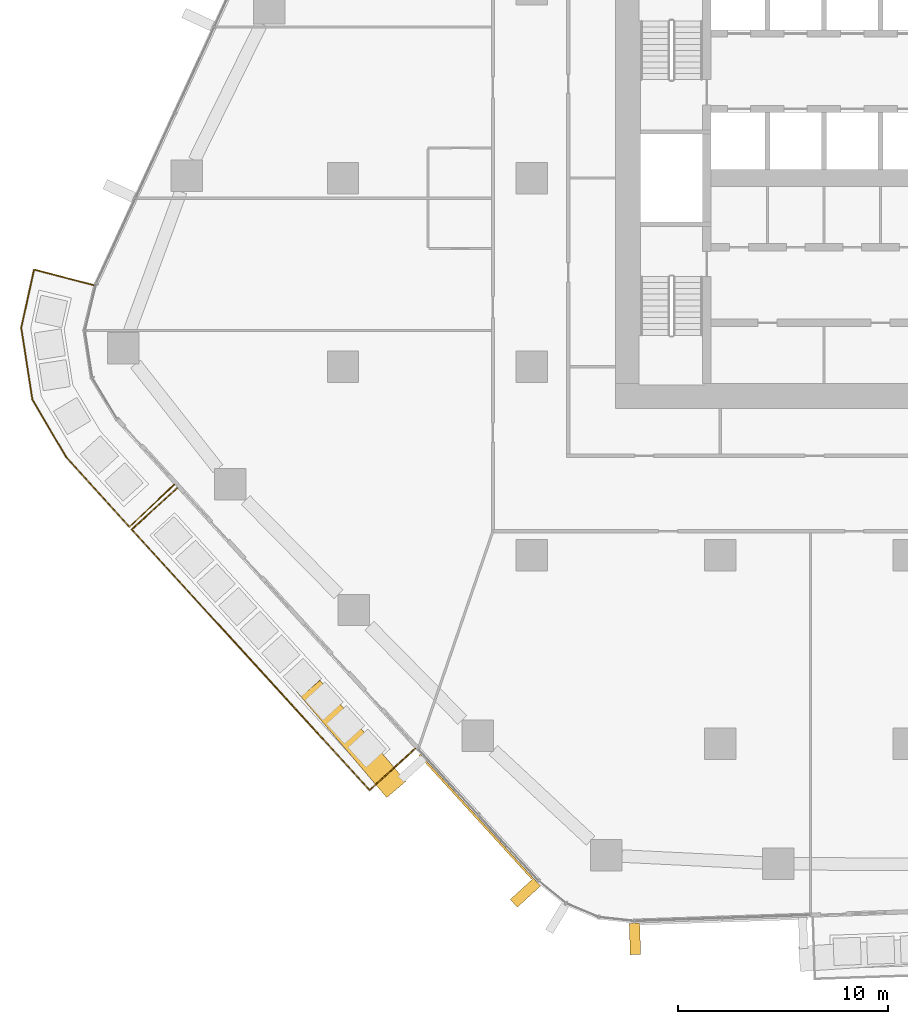
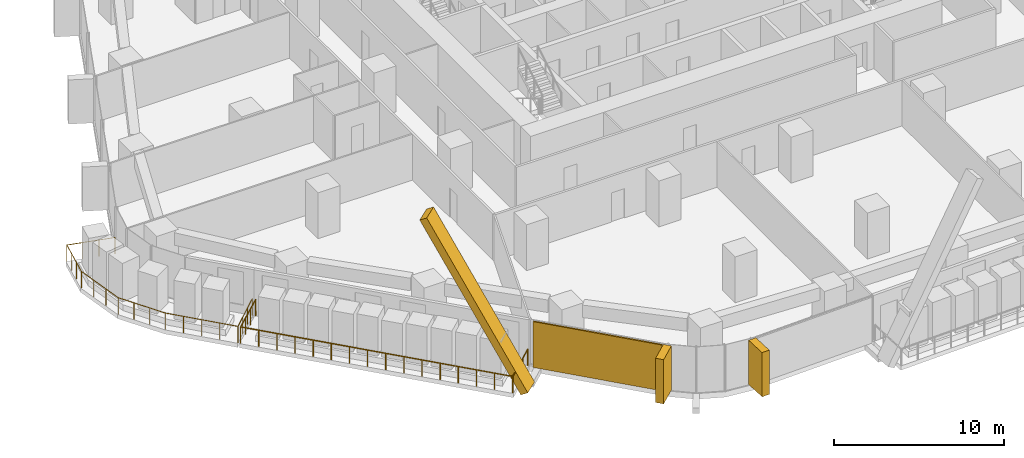
# One storey, part 19 of 26: 4 coverings, 2 railings, 2 elements without a shape of their own.
"""IFC4 building model written with IfcOpenShell, lengths in metres."""

from ifc_helpers import new_model, si_unit, direction, frame, origin, origin_2d, place, context, subcontext, project, spatial, rectangle, circle, extrude, material, layer, layer_set, material_profile, profile_set, type_object, element, aggregate, save


model = new_model("IFC4")

# Units and contexts
model_context = context("Model", 3, precision=1e-05, world=origin(), true_north=direction((0.0, 1.0)))
body_context = subcontext(model_context, "Body", "Model", "MODEL_VIEW")
ifc_project = project(units=[si_unit("LENGTHUNIT", "METRE"), si_unit("AREAUNIT", "SQUARE_METRE"), si_unit("VOLUMEUNIT", "CUBIC_METRE"), si_unit("PLANEANGLEUNIT", "RADIAN"), si_unit("MASSUNIT", "GRAM", prefix="KILO")], contexts=[model_context])

# Site, building, storey
site_placement = place(None, origin())
site = spatial("IfcSite", under=ifc_project, at=site_placement, CompositionType="ELEMENT")
building_placement = place(site_placement, origin())
building = spatial("IfcBuilding", under=site, at=building_placement, Name="Dongbaek Canopy Tower", CompositionType="ELEMENT")
storey_placement = place(building_placement, frame((0.0, 0.0, 73.60009765625)))
storey = spatial("IfcBuildingStorey", under=building, at=storey_placement, Name="L14", CompositionType="ELEMENT", Elevation=73.60009765625)

# Railings
ifc_material_1 = material(Name="Stainless steel", Category="steel")
railing_type = type_object("IfcRailingType", Name="Balcony balustrade 1200", PredefinedType="BALUSTRADE", material=ifc_material_1)
railing_1_placement = place(storey_placement, frame((-34.905517578125, -14.78515625, 0.0)))
element("IfcRailing", 1, at=railing_1_placement, inside=storey, type_object=railing_type, Name="Balcony guard L14 3", PredefinedType="BALUSTRADE", context=body_context, shape_type="SweptSolid", body=[
    extrude(circle(Radius=0.02392578125, at=origin_2d()), frame((0.0, 0.0, 1.17578125), z_axis=(-0.738751516829, -0.673977890129, 0.0), x_axis=(0.673977890129, -0.738751516829, 0.0)), (0.0, 0.0, 1.0), 2.93994140625),
    extrude(circle(Radius=0.02392578125, at=origin_2d()), frame((-2.171875, -1.9814453125, 1.17578125), z_axis=(0.674009340344, -0.738722822938, 0.0), x_axis=(0.738722822938, 0.674009340344, 0.0)), (0.0, 0.0, 1.0), 16.83349609375),
    extrude(circle(Radius=0.02392578125, at=origin_2d()), frame((9.174072265625, -14.416748046875, 1.17578125), z_axis=(0.738751516829, 0.673977890129, 0.0), x_axis=(-0.673977890129, 0.738751516829, 0.0)), (0.0, 0.0, 1.0), 2.93994140625),
    extrude(circle(Radius=0.02099609375, at=origin_2d()), origin(), (0.0, 0.0, 1.0), 1.15185546875),
    extrude(circle(Radius=0.02099609375, at=origin_2d()), frame((-0.723876953125, -0.660400390625, 0.0)), (0.0, 0.0, 1.0), 1.15185546875),
    extrude(circle(Radius=0.02099609375, at=origin_2d()), frame((-1.447998046875, -1.321044921875, 0.0)), (0.0, 0.0, 1.0), 1.15185546875),
    extrude(circle(Radius=0.02099609375, at=origin_2d()), frame((-2.171875, -1.9814453125, 0.0)), (0.0, 0.0, 1.0), 1.15185546875),
    extrude(circle(Radius=0.02099609375, at=origin_2d()), frame((-1.41552734375, -2.810546875, 0.0)), (0.0, 0.0, 1.0), 1.15185546875),
    extrude(circle(Radius=0.02099609375, at=origin_2d()), frame((-0.6591796875, -3.639404296875, 0.0)), (0.0, 0.0, 1.0), 1.15185546875),
    extrude(circle(Radius=0.02099609375, at=origin_2d()), frame((0.097412109375, -4.468505859375, 0.0)), (0.0, 0.0, 1.0), 1.15185546875),
    extrude(circle(Radius=0.02099609375, at=origin_2d()), frame((0.853759765625, -5.297607421875, 0.0)), (0.0, 0.0, 1.0), 1.15185546875),
    extrude(circle(Radius=0.02099609375, at=origin_2d()), frame((1.610107421875, -6.12646484375, 0.0)), (0.0, 0.0, 1.0), 1.15185546875),
    extrude(circle(Radius=0.02099609375, at=origin_2d()), frame((2.366455078125, -6.95556640625, 0.0)), (0.0, 0.0, 1.0), 1.15185546875),
    extrude(circle(Radius=0.02099609375, at=origin_2d()), frame((3.122802734375, -7.78466796875, 0.0)), (0.0, 0.0, 1.0), 1.15185546875),
    extrude(circle(Radius=0.02099609375, at=origin_2d()), frame((3.87939453125, -8.613525390625, 0.0)), (0.0, 0.0, 1.0), 1.15185546875),
    extrude(circle(Radius=0.02099609375, at=origin_2d()), frame((4.6357421875, -9.442626953125, 0.0)), (0.0, 0.0, 1.0), 1.15185546875),
    extrude(circle(Radius=0.02099609375, at=origin_2d()), frame((5.39208984375, -10.271728515625, 0.0)), (0.0, 0.0, 1.0), 1.15185546875),
    extrude(circle(Radius=0.02099609375, at=origin_2d()), frame((6.1484375, -11.1005859375, 0.0)), (0.0, 0.0, 1.0), 1.15185546875),
    extrude(circle(Radius=0.02099609375, at=origin_2d()), frame((6.90478515625, -11.9296875, 0.0)), (0.0, 0.0, 1.0), 1.15185546875),
    extrude(circle(Radius=0.02099609375, at=origin_2d()), frame((7.661376953125, -12.7587890625, 0.0)), (0.0, 0.0, 1.0), 1.15185546875),
    extrude(circle(Radius=0.02099609375, at=origin_2d()), frame((8.417724609375, -13.587646484375, 0.0)), (0.0, 0.0, 1.0), 1.15185546875),
    extrude(circle(Radius=0.02099609375, at=origin_2d()), frame((9.174072265625, -14.416748046875, 0.0)), (0.0, 0.0, 1.0), 1.15185546875),
    extrude(circle(Radius=0.02099609375, at=origin_2d()), frame((9.89794921875, -13.75634765625, 0.0)), (0.0, 0.0, 1.0), 1.15185546875),
    extrude(circle(Radius=0.02099609375, at=origin_2d()), frame((10.6220703125, -13.095703125, 0.0)), (0.0, 0.0, 1.0), 1.15185546875),
    extrude(circle(Radius=0.02099609375, at=origin_2d()), frame((11.345947265625, -12.435302734375, 0.0)), (0.0, 0.0, 1.0), 1.15185546875),
])
railing_2_placement = place(storey_placement, frame((-38.897216796875, -5.109130859375, 0.0)))
element("IfcRailing", 2, at=railing_2_placement, inside=storey, type_object=railing_type, Name="Balcony guard L14 7", PredefinedType="BALUSTRADE", context=body_context, shape_type="SweptSolid", body=[
    extrude(circle(Radius=0.02392578125, at=origin_2d()), frame((0.0, 0.0, 1.17578125), z_axis=(-0.967279624391, 0.253712688365, 0.0), x_axis=(-0.253712688365, -0.967279624391, 0.0)), (0.0, 0.0, 1.0), 2.940673828125),
    extrude(circle(Radius=0.02392578125, at=origin_2d()), frame((-2.844482421875, 0.74609375, 1.17578125), z_axis=(-0.214860147072, -0.976644826536, 0.0), x_axis=(0.976644826536, -0.214860147072, 0.0)), (0.0, 0.0, 1.0), 2.847412109375),
    extrude(circle(Radius=0.02392578125, at=origin_2d()), frame((-3.456298828125, -2.034912109375, 1.17578125), z_axis=(0.15356492792, -0.988138559572, 0.0), x_axis=(0.988138559572, 0.15356492792, 0.0)), (0.0, 0.0, 1.0), 3.46728515625),
    extrude(circle(Radius=0.02392578125, at=origin_2d()), frame((-2.923828125, -5.461181640625, 1.17578125), z_axis=(0.506738590349, -0.862099762818, 0.0), x_axis=(0.862099762818, 0.506738590349, 0.0)), (0.0, 0.0, 1.0), 3.18359375),
    extrude(circle(Radius=0.02392578125, at=origin_2d()), frame((-1.310546875, -8.205810546875, 1.17578125), z_axis=(0.671700008883, -0.74082325697, 0.0), x_axis=(0.74082325697, 0.671700008883, 0.0)), (0.0, 0.0, 1.0), 4.499755859375),
    extrude(circle(Radius=0.02392578125, at=origin_2d()), frame((1.7119140625, -11.539306640625, 1.17578125), z_axis=(0.724812845039, 0.688945817656, 0.0), x_axis=(-0.688945817656, 0.724812845039, 0.0)), (0.0, 0.0, 1.0), 2.9404296875),
    extrude(circle(Radius=0.02099609375, at=origin_2d()), origin(), (0.0, 0.0, 1.0), 1.15185546875),
    extrude(circle(Radius=0.02099609375, at=origin_2d()), frame((-0.9482421875, 0.248779296875, 0.0)), (0.0, 0.0, 1.0), 1.15185546875),
    extrude(circle(Radius=0.02099609375, at=origin_2d()), frame((-1.896240234375, 0.497314453125, 0.0)), (0.0, 0.0, 1.0), 1.15185546875),
    extrude(circle(Radius=0.02099609375, at=origin_2d()), frame((-2.844482421875, 0.74609375, 0.0)), (0.0, 0.0, 1.0), 1.15185546875),
    extrude(circle(Radius=0.02099609375, at=origin_2d()), frame((-3.04833984375, -0.180908203125, 0.0)), (0.0, 0.0, 1.0), 1.15185546875),
    extrude(circle(Radius=0.02099609375, at=origin_2d()), frame((-3.25244140625, -1.10791015625, 0.0)), (0.0, 0.0, 1.0), 1.15185546875),
    extrude(circle(Radius=0.02099609375, at=origin_2d()), frame((-3.456298828125, -2.034912109375, 0.0)), (0.0, 0.0, 1.0), 1.15185546875),
    extrude(circle(Radius=0.02099609375, at=origin_2d()), frame((-3.27880859375, -3.177001953125, 0.0)), (0.0, 0.0, 1.0), 1.15185546875),
    extrude(circle(Radius=0.02099609375, at=origin_2d()), frame((-3.101318359375, -4.319091796875, 0.0)), (0.0, 0.0, 1.0), 1.15185546875),
    extrude(circle(Radius=0.02099609375, at=origin_2d()), frame((-2.923828125, -5.461181640625, 0.0)), (0.0, 0.0, 1.0), 1.15185546875),
    extrude(circle(Radius=0.02099609375, at=origin_2d()), frame((-2.385986328125, -6.3759765625, 0.0)), (0.0, 0.0, 1.0), 1.15185546875),
    extrude(circle(Radius=0.02099609375, at=origin_2d()), frame((-1.848388671875, -7.291015625, 0.0)), (0.0, 0.0, 1.0), 1.15185546875),
    extrude(circle(Radius=0.02099609375, at=origin_2d()), frame((-1.310546875, -8.205810546875, 0.0)), (0.0, 0.0, 1.0), 1.15185546875),
    extrude(circle(Radius=0.02099609375, at=origin_2d()), frame((-0.554931640625, -9.0390625, 0.0)), (0.0, 0.0, 1.0), 1.15185546875),
    extrude(circle(Radius=0.02099609375, at=origin_2d()), frame((0.20068359375, -9.87255859375, 0.0)), (0.0, 0.0, 1.0), 1.15185546875),
    extrude(circle(Radius=0.02099609375, at=origin_2d()), frame((0.956298828125, -10.7060546875, 0.0)), (0.0, 0.0, 1.0), 1.15185546875),
    extrude(circle(Radius=0.02099609375, at=origin_2d()), frame((1.7119140625, -11.539306640625, 0.0)), (0.0, 0.0, 1.0), 1.15185546875),
    extrude(circle(Radius=0.02099609375, at=origin_2d()), frame((2.42236328125, -10.864013671875, 0.0)), (0.0, 0.0, 1.0), 1.15185546875),
    extrude(circle(Radius=0.02099609375, at=origin_2d()), frame((3.1328125, -10.188720703125, 0.0)), (0.0, 0.0, 1.0), 1.15185546875),
    extrude(circle(Radius=0.02099609375, at=origin_2d()), frame((3.84326171875, -9.513427734375, 0.0)), (0.0, 0.0, 1.0), 1.15185546875),
])

# Curtain wall, coverings
ifc_material_2 = material(Name="Aluminium 6063-T6 pale anodised", Category="aluminium")
ifc_layer_1 = layer(ifc_material_2, 0.199951171875)
ifc_layer_set_1 = layer_set([ifc_layer_1], Name="CW-1 unitised tower curtain wall")
curtain_wall_type = type_object("IfcCurtainWallType", Name="CW-1 unitised tower curtain wall", PredefinedType="NOTDEFINED", material=ifc_layer_set_1)
curtain_wall_1_placement = place(storey_placement, origin())
curtain_wall_1 = element("IfcCurtainWall", 3, at=curtain_wall_1_placement, inside=storey, type_object=curtain_wall_type, Name="CW-1 curtain wall F3.1", PredefinedType="NOTDEFINED")
ifc_material_3 = material(Name="Aluminium 6063-T6 pale metal fin", Category="aluminium")
ifc_material_profile_1 = material_profile(ifc_material_3, rectangle(XDim=1.199951171875, YDim=0.5, at=origin_2d()), Name="Crease fin CF1 500 x 1200 pale metal")
ifc_profile_set_1 = profile_set([ifc_material_profile_1], Name="Aluminium 6063-T6 pale metal fin")
covering_type_1 = type_object("IfcCoveringType", Name="Crease fin CF1 500 x 1200 pale metal", PredefinedType="CLADDING", material=ifc_profile_set_1)
covering_1_placement = place(storey_placement, frame((-24.59765625, -29.00537109375, -0.2001953125), z_axis=(-0.320864218589, 0.377083772582, 0.868823331688), x_axis=(-0.761597345181, -0.648050525664, 0.0)))
covering_1 = element("IfcCovering", 4, at=covering_1_placement, type_object=covering_type_1, Name="Crease fin L14 L17 F3", PredefinedType="CLADDING", context=body_context, shape_type="SweptSolid", body=[
    extrude(rectangle(XDim=1.199951171875, YDim=0.5, at=origin_2d()), origin(), (0.0, 0.0, 1.0), 12.776123046875),
])
ifc_material_4 = material(Name="Perforated aluminium 6063-T6 pale metal screen", Category="aluminium")
ifc_layer_2 = layer(ifc_material_4, 0.10009765625)
ifc_layer_set_2 = layer_set([ifc_layer_2], Name="Facet screen FS1 100 pale metal")
covering_type_2 = type_object("IfcCoveringType", Name="Facet screen FS1 100 pale metal", PredefinedType="CLADDING", material=ifc_layer_set_2)
covering_2_placement = place(storey_placement, frame((-20.663330078125, -30.462890625, 0.0), z_axis=(0.0, 0.0, 1.0), x_axis=(0.674012344864, -0.738720081608, 0.0)))
covering_2 = element("IfcCovering", 5, at=covering_2_placement, type_object=covering_type_2, Name="Facet screen L14 F3", PredefinedType="CLADDING", context=body_context, shape_type="SweptSolid", body=[
    extrude(rectangle(XDim=7.98388671875, YDim=0.10009765625, at=origin_2d()), origin(), (0.0, 0.0, 1.0), 3.300048828125),
])
ifc_material_5 = material(Name="Aluminium 6063-T6 pale metal fin", Category="aluminium")
ifc_material_profile_2 = material_profile(ifc_material_5, rectangle(XDim=1.5, YDim=0.5, at=origin_2d()), Name="Fin FN1 500 x 1500 pale metal")
ifc_profile_set_2 = profile_set([ifc_material_profile_2], Name="Aluminium 6063-T6 pale metal fin")
covering_type_3 = type_object("IfcCoveringType", Name="Fin FN1 500 x 1500 pale metal", PredefinedType="CLADDING", material=ifc_profile_set_2)
covering_3_placement = place(storey_placement, frame((-18.297119140625, -34.1005859375, 0.119873046875), z_axis=(0.0, 0.0, 1.0), x_axis=(-0.738720005108, -0.674012428708, 0.0)))
covering_3 = element("IfcCovering", 6, at=covering_3_placement, type_object=covering_type_3, Name="Fin F3.1.3", PredefinedType="CLADDING", context=body_context, shape_type="SweptSolid", body=[
    extrude(rectangle(XDim=1.5, YDim=0.5, at=origin_2d()), origin(), (0.0, 0.0, 1.0), 3.179931640625),
])
aggregate(curtain_wall_1, [covering_3, covering_1, covering_2])

# Curtain wall, covering
curtain_wall_2_placement = place(storey_placement, origin())
curtain_wall_2 = element("IfcCurtainWall", 7, at=curtain_wall_2_placement, inside=storey, type_object=curtain_wall_type, Name="CW-1 curtain wall F4.1", PredefinedType="NOTDEFINED")
covering_4_placement = place(storey_placement, frame((-13.069580078125, -36.30224609375, 0.119873046875), z_axis=(0.0, 0.0, 1.0), x_axis=(0.033932734012, -0.999424118962, 0.0)))
covering_4 = element("IfcCovering", 8, at=covering_4_placement, type_object=covering_type_3, Name="Fin F4.1.1", PredefinedType="CLADDING", context=body_context, shape_type="SweptSolid", body=[
    extrude(rectangle(XDim=1.5, YDim=0.5, at=origin_2d()), origin(), (0.0, 0.0, 1.0), 3.179931640625),
])
aggregate(curtain_wall_2, [covering_4])

save(model, "model.ifc")
